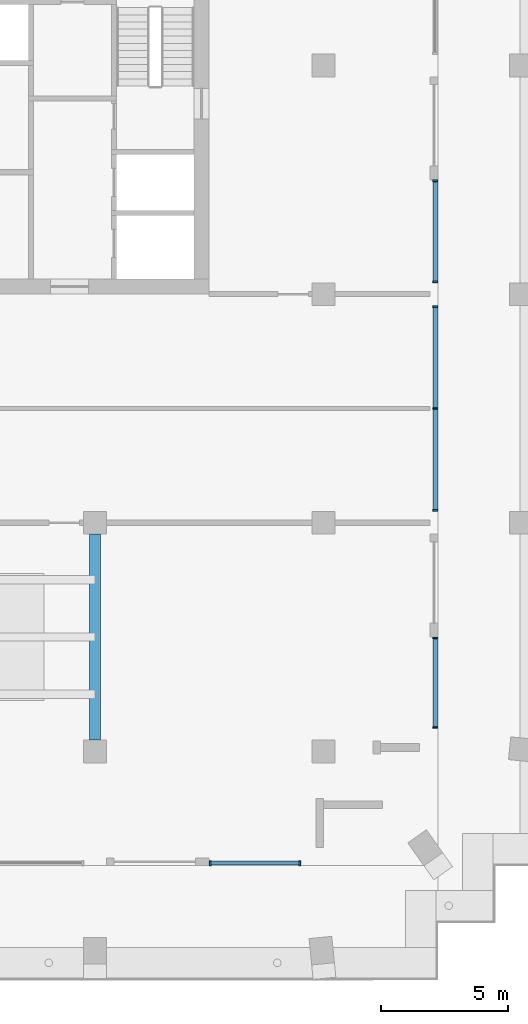
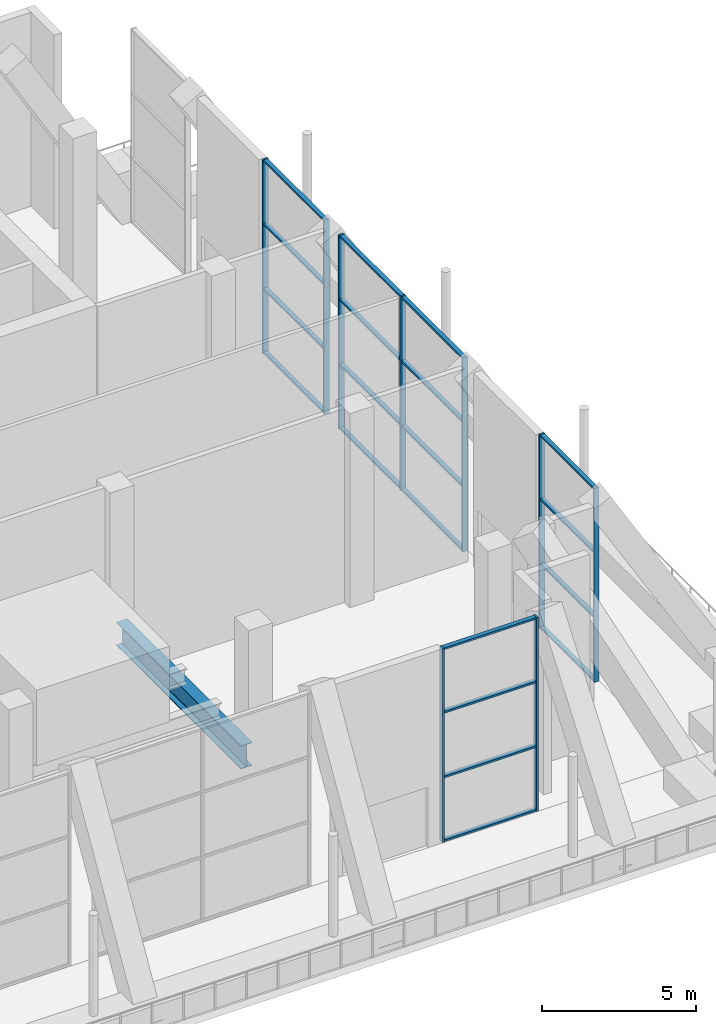
# One storey, part 3 of 12: 29 members, 1 beam, 4 elements without a shape of their own.
"""IFC4 building model written with IfcOpenShell, lengths in metres."""

from ifc_helpers import new_model, si_unit, direction, frame, origin, origin_2d, place, context, subcontext, project, spatial, rectangle, i_section, extrude, material, material_profile, profile_set, type_object, element, aggregate, save


model = new_model("IFC4")

# Units and contexts
model_context = context("Model", 3, precision=1e-05, world=origin(), true_north=direction((0.0, 1.0)))
body_context = subcontext(model_context, "Body", "Model", "MODEL_VIEW")
ifc_project = project(units=[si_unit("LENGTHUNIT", "METRE"), si_unit("AREAUNIT", "SQUARE_METRE"), si_unit("VOLUMEUNIT", "CUBIC_METRE"), si_unit("PLANEANGLEUNIT", "RADIAN"), si_unit("MASSUNIT", "GRAM", prefix="KILO")], contexts=[model_context])

# Site, building, storey
site_placement = place(None, origin())
site = spatial("IfcSite", under=ifc_project, at=site_placement, CompositionType="ELEMENT")
building_placement = place(site_placement, origin())
building = spatial("IfcBuilding", under=site, at=building_placement, Name="Orbiselva Terraces", CompositionType="ELEMENT")
storey_placement = place(building_placement, frame((0.0, 0.0, 289.4)))
storey = spatial("IfcBuildingStorey", under=building, at=storey_placement, Name="L73", CompositionType="ELEMENT", Elevation=289.4)

# Beam
ifc_material_1 = material(Name="Steel ASTM A992 Grade 50", Category="steel")
ifc_material_profile_1 = material_profile(ifc_material_1, i_section(OverallWidth=0.419, OverallDepth=0.932, WebThickness=0.0203, FlangeThickness=0.0343, FilletRadius=0.0241, at=origin_2d()), Name="W920X368")
ifc_profile_set_1 = profile_set([ifc_material_profile_1], Name="Steel ASTM A992 Grade 50")
beam_type = type_object("IfcBeamType", Name="DAMPER GIRDER W920X368", PredefinedType="BEAM", material=ifc_profile_set_1)
beam_placement = place(storey_placement, frame((9.0, -13.05, 2.034), z_axis=(0.0, 1.0, 0.0), x_axis=(-1.0, 0.0, 0.0)))
element("IfcBeam", 1, at=beam_placement, inside=storey, type_object=beam_type, Name="Damper girder 2", PredefinedType="BEAM", context=body_context, shape_type="SweptSolid", body=[
    extrude(i_section(OverallWidth=0.419, OverallDepth=0.932, WebThickness=0.0203, FlangeThickness=0.0343, FilletRadius=0.0241, at=origin_2d()), origin(), (0.0, 0.0, 1.0), 8.1),
])

# Curtain wall, members
ifc_material_2 = material(Name="Clear low-e glazing in aluminium frame", Category="aluminium")
curtain_wall_type = type_object("IfcCurtainWallType", Name="ENV-CW-TMD", PredefinedType="NOTDEFINED", material=ifc_material_2)
curtain_wall_1_placement = place(storey_placement, origin())
curtain_wall_1 = element("IfcCurtainWall", 2, at=curtain_wall_1_placement, inside=storey, type_object=curtain_wall_type, Name="Curtain wall L73 S", PredefinedType="NOTDEFINED")
ifc_material_3 = material(Name="Anodised aluminium", Category="aluminium")
ifc_material_profile_2 = material_profile(ifc_material_3, rectangle(XDim=0.2, YDim=0.075, at=origin_2d()), Name="AL 75x200")
ifc_profile_set_2 = profile_set([ifc_material_profile_2], Name="Anodised aluminium")
member_type_1 = type_object("IfcMemberType", Name="ENV-CW-TMD-MULLION-75x200", PredefinedType="MULLION", material=ifc_profile_set_2)
member_1_placement = place(storey_placement, frame((13.5375, -17.9, 0.0), z_axis=(0.0, 0.0, 1.0), x_axis=(0.0, 1.0, 0.0)))
member_1 = element("IfcMember", 3, at=member_1_placement, type_object=member_type_1, Name="CW4 mullion 1", PredefinedType="MULLION", context=body_context, shape_type="SweptSolid", body=[
    extrude(rectangle(XDim=0.2, YDim=0.075, at=origin_2d()), origin(), (0.0, 0.0, 1.0), 7.7),
])
member_2_placement = place(storey_placement, frame((17.0625, -17.9, 0.0), z_axis=(0.0, 0.0, 1.0), x_axis=(0.0, 1.0, 0.0)))
member_2 = element("IfcMember", 4, at=member_2_placement, type_object=member_type_1, Name="CW4 mullion 2", PredefinedType="MULLION", context=body_context, shape_type="SweptSolid", body=[
    extrude(rectangle(XDim=0.2, YDim=0.075, at=origin_2d()), origin(), (0.0, 0.0, 1.0), 7.7),
])

curtain_wall_2_placement = place(storey_placement, origin())
curtain_wall_2 = element("IfcCurtainWall", 5, at=curtain_wall_2_placement, inside=storey, type_object=curtain_wall_type, Name="Curtain wall L73 E", PredefinedType="NOTDEFINED")
member_3_placement = place(storey_placement, frame((22.4, -12.5625, 0.0), z_axis=(0.0, 0.0, 1.0), x_axis=(-1.0, 0.0, 0.0)))
member_3 = element("IfcMember", 6, at=member_3_placement, type_object=member_type_1, Name="CW4 mullion 1", PredefinedType="MULLION", context=body_context, shape_type="SweptSolid", body=[
    extrude(rectangle(XDim=0.2, YDim=0.075, at=origin_2d()), origin(), (0.0, 0.0, 1.0), 7.7),
])
member_4_placement = place(storey_placement, frame((22.4, -9.0375, 0.0), z_axis=(0.0, 0.0, 1.0), x_axis=(-1.0, 0.0, 0.0)))
member_4 = element("IfcMember", 7, at=member_4_placement, type_object=member_type_1, Name="CW4 mullion 2", PredefinedType="MULLION", context=body_context, shape_type="SweptSolid", body=[
    extrude(rectangle(XDim=0.2, YDim=0.075, at=origin_2d()), origin(), (0.0, 0.0, 1.0), 7.7),
])

curtain_wall_3_placement = place(storey_placement, origin())
curtain_wall_3 = element("IfcCurtainWall", 8, at=curtain_wall_3_placement, inside=storey, type_object=curtain_wall_type, Name="Curtain wall L73 E", PredefinedType="NOTDEFINED")
member_5_placement = place(storey_placement, frame((22.4, -4.0125, 0.0), z_axis=(0.0, 0.0, 1.0), x_axis=(-1.0, 0.0, 0.0)))
member_5 = element("IfcMember", 9, at=member_5_placement, type_object=member_type_1, Name="CW4 mullion 1", PredefinedType="MULLION", context=body_context, shape_type="SweptSolid", body=[
    extrude(rectangle(XDim=0.2, YDim=0.075, at=origin_2d()), origin(), (0.0, 0.0, 1.0), 7.7),
])
member_6_placement = place(storey_placement, frame((22.4, 0.0, 0.0), z_axis=(0.0, 0.0, 1.0), x_axis=(-1.0, 0.0, 0.0)))
member_6 = element("IfcMember", 10, at=member_6_placement, type_object=member_type_1, Name="CW4 mullion 2", PredefinedType="MULLION", context=body_context, shape_type="SweptSolid", body=[
    extrude(rectangle(XDim=0.2, YDim=0.075, at=origin_2d()), origin(), (0.0, 0.0, 1.0), 7.7),
])
member_7_placement = place(storey_placement, frame((22.4, 4.0125, 0.0), z_axis=(0.0, 0.0, 1.0), x_axis=(-1.0, 0.0, 0.0)))
member_7 = element("IfcMember", 11, at=member_7_placement, type_object=member_type_1, Name="CW4 mullion 3", PredefinedType="MULLION", context=body_context, shape_type="SweptSolid", body=[
    extrude(rectangle(XDim=0.2, YDim=0.075, at=origin_2d()), origin(), (0.0, 0.0, 1.0), 7.7),
])

curtain_wall_4_placement = place(storey_placement, origin())
curtain_wall_4 = element("IfcCurtainWall", 12, at=curtain_wall_4_placement, inside=storey, type_object=curtain_wall_type, Name="Curtain wall L73 E", PredefinedType="NOTDEFINED")
member_8_placement = place(storey_placement, frame((22.4, 4.9875, 0.0), z_axis=(0.0, 0.0, 1.0), x_axis=(-1.0, 0.0, 0.0)))
member_8 = element("IfcMember", 13, at=member_8_placement, type_object=member_type_1, Name="CW4 mullion 1", PredefinedType="MULLION", context=body_context, shape_type="SweptSolid", body=[
    extrude(rectangle(XDim=0.2, YDim=0.075, at=origin_2d()), origin(), (0.0, 0.0, 1.0), 7.7),
])
member_9_placement = place(storey_placement, frame((22.4, 8.9625, 0.0), z_axis=(0.0, 0.0, 1.0), x_axis=(-1.0, 0.0, 0.0)))
member_9 = element("IfcMember", 14, at=member_9_placement, type_object=member_type_1, Name="CW4 mullion 2", PredefinedType="MULLION", context=body_context, shape_type="SweptSolid", body=[
    extrude(rectangle(XDim=0.2, YDim=0.075, at=origin_2d()), origin(), (0.0, 0.0, 1.0), 7.7),
])

# Member
ifc_material_profile_3 = material_profile(ifc_material_3, rectangle(XDim=0.16, YDim=0.075, at=origin_2d()), Name="AL 75x160")
ifc_profile_set_3 = profile_set([ifc_material_profile_3], Name="Anodised aluminium")
member_type_2 = type_object("IfcMemberType", Name="ENV-CW-TMD-TRANSOM-75x160", PredefinedType="USERDEFINED", material=ifc_profile_set_3)
member_10_placement = place(storey_placement, frame((13.575, -17.9, 0.0375), z_axis=(1.0, 0.0, 0.0), x_axis=(0.0, 1.0, 0.0)))
member_10 = element("IfcMember", 15, at=member_10_placement, type_object=member_type_2, Name="CW4 transom 1.1", ObjectType="TRANSOM", PredefinedType="USERDEFINED", context=body_context, shape_type="SweptSolid", body=[
    extrude(rectangle(XDim=0.16, YDim=0.075, at=origin_2d()), origin(), (0.0, 0.0, 1.0), 3.45),
])

member_11_placement = place(storey_placement, frame((13.575, -17.9, 2.566667), z_axis=(1.0, 0.0, 0.0), x_axis=(0.0, 1.0, 0.0)))
member_11 = element("IfcMember", 16, at=member_11_placement, type_object=member_type_2, Name="CW4 transom 1.2", ObjectType="TRANSOM", PredefinedType="USERDEFINED", context=body_context, shape_type="SweptSolid", body=[
    extrude(rectangle(XDim=0.16, YDim=0.075, at=origin_2d()), origin(), (0.0, 0.0, 1.0), 3.45),
])

member_12_placement = place(storey_placement, frame((13.575, -17.9, 5.133333), z_axis=(1.0, 0.0, 0.0), x_axis=(0.0, 1.0, 0.0)))
member_12 = element("IfcMember", 17, at=member_12_placement, type_object=member_type_2, Name="CW4 transom 1.3", ObjectType="TRANSOM", PredefinedType="USERDEFINED", context=body_context, shape_type="SweptSolid", body=[
    extrude(rectangle(XDim=0.16, YDim=0.075, at=origin_2d()), origin(), (0.0, 0.0, 1.0), 3.45),
])

member_13_placement = place(storey_placement, frame((13.575, -17.9, 7.6625), z_axis=(1.0, 0.0, 0.0), x_axis=(0.0, 1.0, 0.0)))
member_13 = element("IfcMember", 18, at=member_13_placement, type_object=member_type_2, Name="CW4 transom 1.4", ObjectType="TRANSOM", PredefinedType="USERDEFINED", context=body_context, shape_type="SweptSolid", body=[
    extrude(rectangle(XDim=0.16, YDim=0.075, at=origin_2d()), origin(), (0.0, 0.0, 1.0), 3.45),
])

aggregate(curtain_wall_1, [member_1, member_2, member_10, member_11, member_12, member_13])

member_14_placement = place(storey_placement, frame((22.4, -12.525, 0.0375), z_axis=(0.0, 1.0, 0.0), x_axis=(-1.0, 0.0, 0.0)))
member_14 = element("IfcMember", 19, at=member_14_placement, type_object=member_type_2, Name="CW4 transom 1.1", ObjectType="TRANSOM", PredefinedType="USERDEFINED", context=body_context, shape_type="SweptSolid", body=[
    extrude(rectangle(XDim=0.16, YDim=0.075, at=origin_2d()), origin(), (0.0, 0.0, 1.0), 3.45),
])

member_15_placement = place(storey_placement, frame((22.4, -12.525, 2.566667), z_axis=(0.0, 1.0, 0.0), x_axis=(-1.0, 0.0, 0.0)))
member_15 = element("IfcMember", 20, at=member_15_placement, type_object=member_type_2, Name="CW4 transom 1.2", ObjectType="TRANSOM", PredefinedType="USERDEFINED", context=body_context, shape_type="SweptSolid", body=[
    extrude(rectangle(XDim=0.16, YDim=0.075, at=origin_2d()), origin(), (0.0, 0.0, 1.0), 3.45),
])

member_16_placement = place(storey_placement, frame((22.4, -12.525, 5.133333), z_axis=(0.0, 1.0, 0.0), x_axis=(-1.0, 0.0, 0.0)))
member_16 = element("IfcMember", 21, at=member_16_placement, type_object=member_type_2, Name="CW4 transom 1.3", ObjectType="TRANSOM", PredefinedType="USERDEFINED", context=body_context, shape_type="SweptSolid", body=[
    extrude(rectangle(XDim=0.16, YDim=0.075, at=origin_2d()), origin(), (0.0, 0.0, 1.0), 3.45),
])

member_17_placement = place(storey_placement, frame((22.4, -12.525, 7.6625), z_axis=(0.0, 1.0, 0.0), x_axis=(-1.0, 0.0, 0.0)))
member_17 = element("IfcMember", 22, at=member_17_placement, type_object=member_type_2, Name="CW4 transom 1.4", ObjectType="TRANSOM", PredefinedType="USERDEFINED", context=body_context, shape_type="SweptSolid", body=[
    extrude(rectangle(XDim=0.16, YDim=0.075, at=origin_2d()), origin(), (0.0, 0.0, 1.0), 3.45),
])

aggregate(curtain_wall_2, [member_3, member_4, member_14, member_15, member_16, member_17])

member_18_placement = place(storey_placement, frame((22.4, -3.975, 0.0375), z_axis=(0.0, 1.0, 0.0), x_axis=(-1.0, 0.0, 0.0)))
member_18 = element("IfcMember", 23, at=member_18_placement, type_object=member_type_2, Name="CW4 transom 1.1", ObjectType="TRANSOM", PredefinedType="USERDEFINED", context=body_context, shape_type="SweptSolid", body=[
    extrude(rectangle(XDim=0.16, YDim=0.075, at=origin_2d()), origin(), (0.0, 0.0, 1.0), 3.9375),
])

member_19_placement = place(storey_placement, frame((22.4, -3.975, 2.566667), z_axis=(0.0, 1.0, 0.0), x_axis=(-1.0, 0.0, 0.0)))
member_19 = element("IfcMember", 24, at=member_19_placement, type_object=member_type_2, Name="CW4 transom 1.2", ObjectType="TRANSOM", PredefinedType="USERDEFINED", context=body_context, shape_type="SweptSolid", body=[
    extrude(rectangle(XDim=0.16, YDim=0.075, at=origin_2d()), origin(), (0.0, 0.0, 1.0), 3.9375),
])

member_20_placement = place(storey_placement, frame((22.4, -3.975, 5.133333), z_axis=(0.0, 1.0, 0.0), x_axis=(-1.0, 0.0, 0.0)))
member_20 = element("IfcMember", 25, at=member_20_placement, type_object=member_type_2, Name="CW4 transom 1.3", ObjectType="TRANSOM", PredefinedType="USERDEFINED", context=body_context, shape_type="SweptSolid", body=[
    extrude(rectangle(XDim=0.16, YDim=0.075, at=origin_2d()), origin(), (0.0, 0.0, 1.0), 3.9375),
])

member_21_placement = place(storey_placement, frame((22.4, -3.975, 7.6625), z_axis=(0.0, 1.0, 0.0), x_axis=(-1.0, 0.0, 0.0)))
member_21 = element("IfcMember", 26, at=member_21_placement, type_object=member_type_2, Name="CW4 transom 1.4", ObjectType="TRANSOM", PredefinedType="USERDEFINED", context=body_context, shape_type="SweptSolid", body=[
    extrude(rectangle(XDim=0.16, YDim=0.075, at=origin_2d()), origin(), (0.0, 0.0, 1.0), 3.9375),
])

member_22_placement = place(storey_placement, frame((22.4, 0.0375, 0.0375), z_axis=(0.0, 1.0, 0.0), x_axis=(-1.0, 0.0, 0.0)))
member_22 = element("IfcMember", 27, at=member_22_placement, type_object=member_type_2, Name="CW4 transom 2.1", ObjectType="TRANSOM", PredefinedType="USERDEFINED", context=body_context, shape_type="SweptSolid", body=[
    extrude(rectangle(XDim=0.16, YDim=0.075, at=origin_2d()), origin(), (0.0, 0.0, 1.0), 3.9375),
])

member_23_placement = place(storey_placement, frame((22.4, 0.0375, 2.566667), z_axis=(0.0, 1.0, 0.0), x_axis=(-1.0, 0.0, 0.0)))
member_23 = element("IfcMember", 28, at=member_23_placement, type_object=member_type_2, Name="CW4 transom 2.2", ObjectType="TRANSOM", PredefinedType="USERDEFINED", context=body_context, shape_type="SweptSolid", body=[
    extrude(rectangle(XDim=0.16, YDim=0.075, at=origin_2d()), origin(), (0.0, 0.0, 1.0), 3.9375),
])

member_24_placement = place(storey_placement, frame((22.4, 0.0375, 5.133333), z_axis=(0.0, 1.0, 0.0), x_axis=(-1.0, 0.0, 0.0)))
member_24 = element("IfcMember", 29, at=member_24_placement, type_object=member_type_2, Name="CW4 transom 2.3", ObjectType="TRANSOM", PredefinedType="USERDEFINED", context=body_context, shape_type="SweptSolid", body=[
    extrude(rectangle(XDim=0.16, YDim=0.075, at=origin_2d()), origin(), (0.0, 0.0, 1.0), 3.9375),
])

member_25_placement = place(storey_placement, frame((22.4, 0.0375, 7.6625), z_axis=(0.0, 1.0, 0.0), x_axis=(-1.0, 0.0, 0.0)))
member_25 = element("IfcMember", 30, at=member_25_placement, type_object=member_type_2, Name="CW4 transom 2.4", ObjectType="TRANSOM", PredefinedType="USERDEFINED", context=body_context, shape_type="SweptSolid", body=[
    extrude(rectangle(XDim=0.16, YDim=0.075, at=origin_2d()), origin(), (0.0, 0.0, 1.0), 3.9375),
])

aggregate(curtain_wall_3, [member_5, member_6, member_7, member_18, member_19, member_20, member_21, member_22, member_23, member_24, member_25])

member_26_placement = place(storey_placement, frame((22.4, 5.025, 0.0375), z_axis=(0.0, 1.0, 0.0), x_axis=(-1.0, 0.0, 0.0)))
member_26 = element("IfcMember", 31, at=member_26_placement, type_object=member_type_2, Name="CW4 transom 1.1", ObjectType="TRANSOM", PredefinedType="USERDEFINED", context=body_context, shape_type="SweptSolid", body=[
    extrude(rectangle(XDim=0.16, YDim=0.075, at=origin_2d()), origin(), (0.0, 0.0, 1.0), 3.9),
])

member_27_placement = place(storey_placement, frame((22.4, 5.025, 2.566667), z_axis=(0.0, 1.0, 0.0), x_axis=(-1.0, 0.0, 0.0)))
member_27 = element("IfcMember", 32, at=member_27_placement, type_object=member_type_2, Name="CW4 transom 1.2", ObjectType="TRANSOM", PredefinedType="USERDEFINED", context=body_context, shape_type="SweptSolid", body=[
    extrude(rectangle(XDim=0.16, YDim=0.075, at=origin_2d()), origin(), (0.0, 0.0, 1.0), 3.9),
])

member_28_placement = place(storey_placement, frame((22.4, 5.025, 5.133333), z_axis=(0.0, 1.0, 0.0), x_axis=(-1.0, 0.0, 0.0)))
member_28 = element("IfcMember", 33, at=member_28_placement, type_object=member_type_2, Name="CW4 transom 1.3", ObjectType="TRANSOM", PredefinedType="USERDEFINED", context=body_context, shape_type="SweptSolid", body=[
    extrude(rectangle(XDim=0.16, YDim=0.075, at=origin_2d()), origin(), (0.0, 0.0, 1.0), 3.9),
])

member_29_placement = place(storey_placement, frame((22.4, 5.025, 7.6625), z_axis=(0.0, 1.0, 0.0), x_axis=(-1.0, 0.0, 0.0)))
member_29 = element("IfcMember", 34, at=member_29_placement, type_object=member_type_2, Name="CW4 transom 1.4", ObjectType="TRANSOM", PredefinedType="USERDEFINED", context=body_context, shape_type="SweptSolid", body=[
    extrude(rectangle(XDim=0.16, YDim=0.075, at=origin_2d()), origin(), (0.0, 0.0, 1.0), 3.9),
])

aggregate(curtain_wall_4, [member_8, member_9, member_26, member_27, member_28, member_29])

save(model, "model.ifc")
